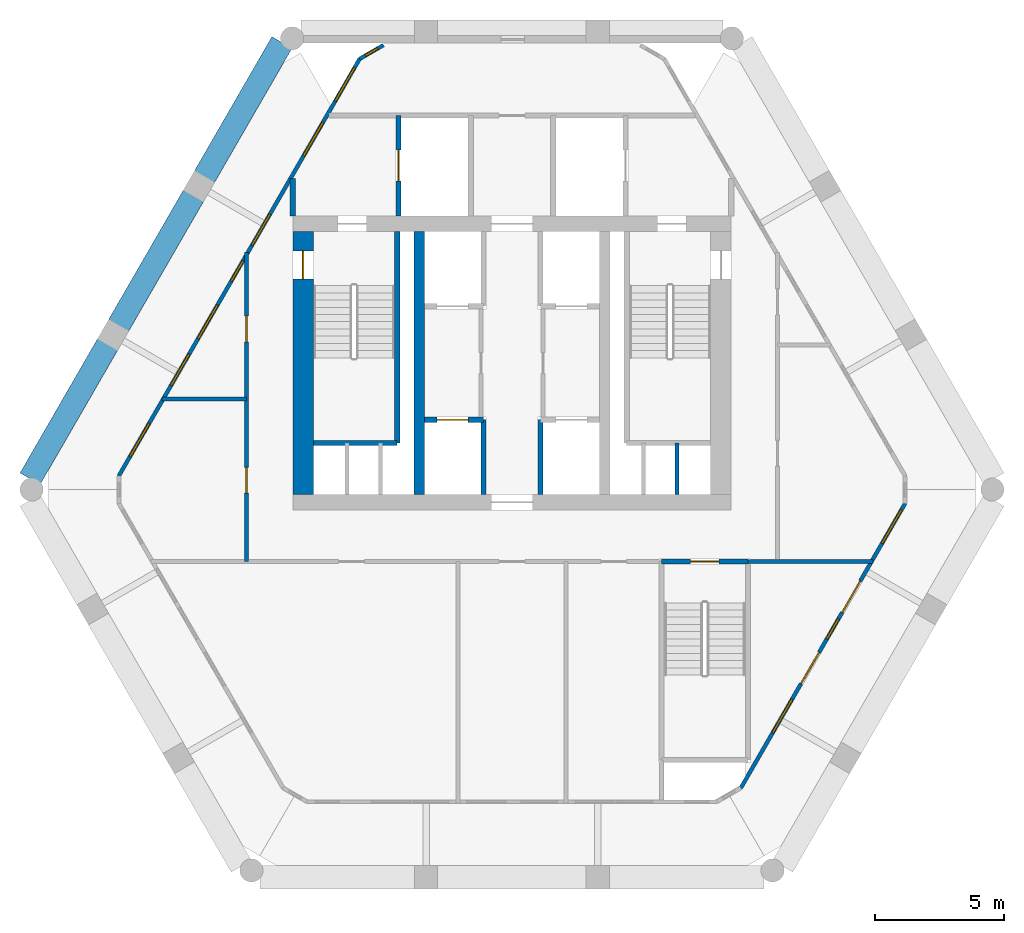
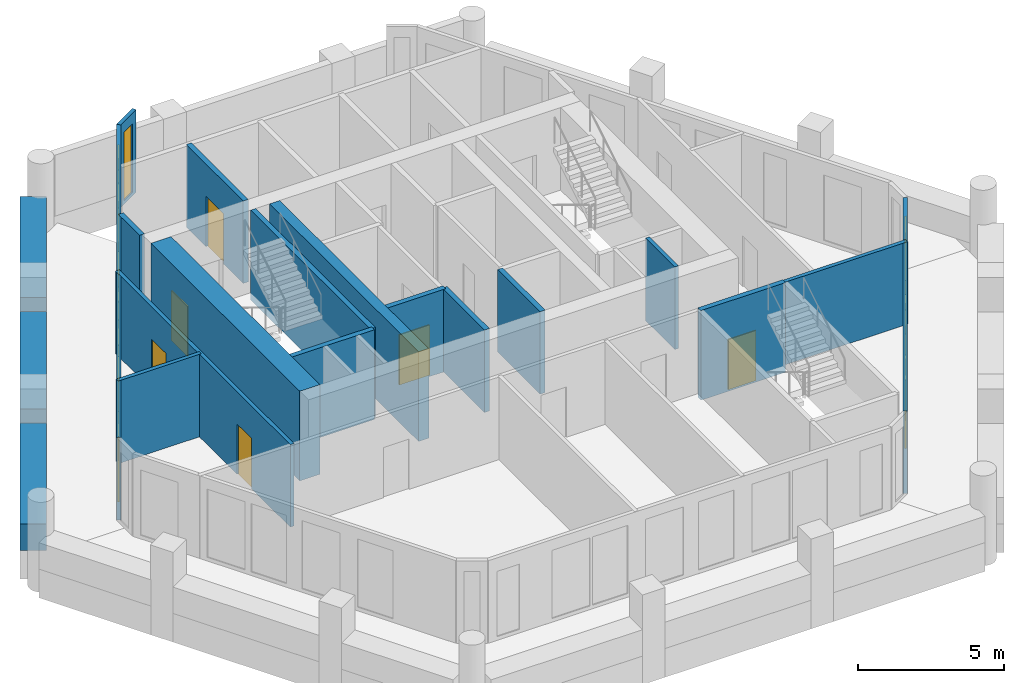
# One storey, part 3 of 6: 20 walls, 11 windows, 8 doors, 19 openings.
"""IFC4 building model written with IfcOpenShell, lengths in metres."""

from ifc_helpers import new_model, si_unit, direction, frame, frame_2d, origin, place, context, subcontext, project, spatial, rectangle, extrude, material, layer, layer_set, type_object, element, fill, save


model = new_model("IFC4")

# Units and contexts
model_context = context("Model", 3, precision=1e-05, world=origin(), true_north=direction((0.0, 1.0)))
body_context = subcontext(model_context, "Body", "Model", "MODEL_VIEW")
ifc_project = project(units=[si_unit("LENGTHUNIT", "METRE"), si_unit("AREAUNIT", "SQUARE_METRE"), si_unit("VOLUMEUNIT", "CUBIC_METRE"), si_unit("PLANEANGLEUNIT", "RADIAN"), si_unit("MASSUNIT", "GRAM", prefix="KILO")], contexts=[model_context])

# Site, building, storey
site_placement = place(None, origin())
site = spatial("IfcSite", under=ifc_project, at=site_placement, CompositionType="ELEMENT")
building_placement = place(site_placement, origin())
building = spatial("IfcBuilding", under=site, at=building_placement, Name="Ostrander Bayou Hotel Tower", CompositionType="ELEMENT")
storey_placement = place(building_placement, frame((0.0, 0.0, 260.0)))
storey = spatial("IfcBuildingStorey", under=building, at=storey_placement, Name="L64", CompositionType="ELEMENT", Elevation=260.0)

# Wall, opening, door
ifc_material_1 = material(Name="Concrete f'c 60 MPa", Category="concrete")
ifc_layer_1 = layer(ifc_material_1, 0.800048828125)
ifc_layer_set_1 = layer_set([ifc_layer_1], Name="CW11 core spine wall 800 mm f'c 60 MPa")
wall_type_1 = type_object("IfcWallType", Name="CW11 core spine wall 800 mm f'c 60 MPa", PredefinedType="SHEAR", material=ifc_layer_set_1)
wall_1_placement = place(storey_placement, frame((-8.10009765625, -1.10009765625, -0.300048828125), z_axis=(0.0, 0.0, 1.0), x_axis=(0.0, 1.0, 0.0)))
wall_1 = element("IfcWall", 1, at=wall_1_placement, inside=storey, type_object=wall_type_1, Name="CW11 L64 W", PredefinedType="SHEAR", context=body_context, shape_type="SweptSolid", body=[
    extrude(rectangle(XDim=10.2001953125, YDim=0.800048828125, at=frame_2d((5.10009765625, 0.0))), origin(), (0.0, 0.0, 1.0), 3.75),
])
opening_1_placement = place(wall_1_placement, frame((8.35009765625, 0.0, 0.0)))
opening_1 = element("IfcOpeningElement", 2, at=opening_1_placement, cuts=wall_1, Name="Opening T63-008", PredefinedType="OPENING", context=body_context, shape_type="SweptSolid", body=[
    extrude(rectangle(XDim=1.10009765625, YDim=2.10009765625, at=frame_2d((0.550048828125, 1.050048828125))), frame((0.0, 0.39990234375, 0.0), z_axis=(0.0, -1.0, 0.0), x_axis=(1.0, 0.0, 0.0)), (0.0, 0.0, 1.0), 0.800048828125),
])
ifc_material_2 = material(Name="Timber door leaf", Category="wood")
door_type_1 = type_object("IfcDoorType", Name="D5 stair door 1100 x 2100 mm, 90 minute", OperationType="SINGLE_SWING_LEFT", PredefinedType="DOOR", material=ifc_material_2)
door_1_placement = place(opening_1_placement, origin())
door_1 = element("IfcDoor", 3, at=door_1_placement, inside=storey, type_object=door_type_1, Name="dr:L64:008", OperationType="SINGLE_SWING_RIGHT", OverallHeight=2.10009765625, OverallWidth=1.10009765625, PredefinedType="DOOR", context=body_context, shape_type="SweptSolid", body=[
    extrude(rectangle(XDim=1.10009765625, YDim=2.10009765625, at=frame_2d((0.550048828125, 1.050048828125))), frame((0.0, 0.02490234375, 0.0), z_axis=(0.0, -1.0, 0.0), x_axis=(1.0, 0.0, 0.0)), (0.0, 0.0, 1.0), 0.050048828125),
])
fill(opening_1, door_1)

# Wall
ifc_material_3 = material(Name="Concrete f'c 60 MPa", Category="concrete")
ifc_layer_2 = layer(ifc_material_3, 0.39990234375)
ifc_layer_set_2 = layer_set([ifc_layer_2], Name="CW12 core bank wall 400 mm f'c 60 MPa")
wall_type_2 = type_object("IfcWallType", Name="CW12 core bank wall 400 mm f'c 60 MPa", PredefinedType="SHEAR", material=ifc_layer_set_2)
wall_2_placement = place(storey_placement, frame((-3.60009765625, -1.10009765625, -0.300048828125), z_axis=(0.0, 0.0, 1.0), x_axis=(0.0, 1.0, 0.0)))
element("IfcWall", 4, at=wall_2_placement, inside=storey, type_object=wall_type_2, Name="CW12 L64 CW", PredefinedType="SHEAR", context=body_context, shape_type="SweptSolid", body=[
    extrude(rectangle(XDim=10.2001953125, YDim=0.39990234375, at=frame_2d((5.10009765625, 0.0))), origin(), (0.0, 0.0, 1.0), 3.75),
])

# Wall, openings, windows
ifc_material_4 = material(Name="Aluminium framed insulated wall", Category="aluminium")
ifc_layer_3 = layer(ifc_material_4, 0.14990234375)
ifc_layer_set_3 = layer_set([ifc_layer_3], Name="GW1 glass-line wall 150 mm")
wall_type_3 = type_object("IfcWallType", Name="GW1 glass-line wall 150 mm", PredefinedType="SOLIDWALL", material=ifc_layer_set_3)
wall_3_placement = place(storey_placement, frame((-5.909423828125, 15.79248046875, 0.0), z_axis=(0.0, 0.0, 1.0), x_axis=(-0.500006153997, -0.866021850744, 0.0)))
wall_3 = element("IfcWall", 5, at=wall_3_placement, inside=storey, type_object=wall_type_3, Name="GW1 L64 NW 1", PredefinedType="SOLIDWALL", context=body_context, shape_type="SweptSolid", body=[
    extrude(rectangle(XDim=18.672607421875, YDim=0.14990234375, at=frame_2d((9.33642578125, 0.0))), origin(), (0.0, 0.0, 1.0), 3.449951171875),
])
opening_2_placement = place(wall_3_placement, frame((2.83837890625, 0.0, 0.14990234375)))
opening_2 = element("IfcOpeningElement", 6, at=opening_2_placement, cuts=wall_3, Name="Opening W4", PredefinedType="OPENING", context=body_context, shape_type="SweptSolid", body=[
    extrude(rectangle(XDim=1.5, YDim=2.85009765625, at=frame_2d((0.75, 1.425048828125))), frame((0.0, 0.074951171875, 0.0), z_axis=(0.0, -1.0, 0.0), x_axis=(1.0, 0.0, 0.0)), (0.0, 0.0, 1.0), 0.14990234375),
])
opening_3_placement = place(wall_3_placement, frame((9.052978515625, 0.0, 0.14990234375)))
opening_3 = element("IfcOpeningElement", 7, at=opening_3_placement, cuts=wall_3, Name="Opening W18", PredefinedType="OPENING", context=body_context, shape_type="SweptSolid", body=[
    extrude(rectangle(XDim=0.89990234375, YDim=2.85009765625, at=frame_2d((0.449951171875, 1.425048828125))), frame((0.0, 0.074951171875, 0.0), z_axis=(0.0, -1.0, 0.0), x_axis=(1.0, 0.0, 0.0)), (0.0, 0.0, 1.0), 0.14990234375),
])
opening_4_placement = place(wall_3_placement, frame((6.952880859375, 0.0, 0.14990234375)))
opening_4 = element("IfcOpeningElement", 8, at=opening_4_placement, cuts=wall_3, Name="Opening W14", PredefinedType="OPENING", context=body_context, shape_type="SweptSolid", body=[
    extrude(rectangle(XDim=1.39990234375, YDim=2.85009765625, at=frame_2d((0.699951171875, 1.425048828125))), frame((0.0, 0.074951171875, 0.0), z_axis=(0.0, -1.0, 0.0), x_axis=(1.0, 0.0, 0.0)), (0.0, 0.0, 1.0), 0.14990234375),
])
opening_5_placement = place(wall_3_placement, frame((11.02197265625, 0.0, 0.14990234375)))
opening_5 = element("IfcOpeningElement", 9, at=opening_5_placement, cuts=wall_3, Name="Opening W4", PredefinedType="OPENING", context=body_context, shape_type="SweptSolid", body=[
    extrude(rectangle(XDim=1.5, YDim=2.85009765625, at=frame_2d((0.75, 1.425048828125))), frame((0.0, 0.074951171875, 0.0), z_axis=(0.0, -1.0, 0.0), x_axis=(1.0, 0.0, 0.0)), (0.0, 0.0, 1.0), 0.14990234375),
])
opening_6_placement = place(wall_3_placement, frame((13.221923828125, 0.0, 0.14990234375)))
opening_6 = element("IfcOpeningElement", 10, at=opening_6_placement, cuts=wall_3, Name="Opening W14", PredefinedType="OPENING", context=body_context, shape_type="SweptSolid", body=[
    extrude(rectangle(XDim=1.39990234375, YDim=2.85009765625, at=frame_2d((0.699951171875, 1.425048828125))), frame((0.0, 0.074951171875, 0.0), z_axis=(0.0, -1.0, 0.0), x_axis=(1.0, 0.0, 0.0)), (0.0, 0.0, 1.0), 0.14990234375),
])
opening_7_placement = place(wall_3_placement, frame((0.394287109375, 0.0, 0.14990234375)))
opening_7 = element("IfcOpeningElement", 11, at=opening_7_placement, cuts=wall_3, Name="Opening W4", PredefinedType="OPENING", context=body_context, shape_type="SweptSolid", body=[
    extrude(rectangle(XDim=1.5, YDim=2.72998046875, at=frame_2d((0.75, 1.364990234375))), frame((0.0, 0.074951171875, 0.0), z_axis=(0.0, -1.0, 0.0), x_axis=(1.0, 0.0, 0.0)), (0.0, 0.0, 1.0), 0.14990234375),
])
opening_8_placement = place(wall_3_placement, frame((16.31591796875, 0.0, 0.14990234375)))
opening_8 = element("IfcOpeningElement", 12, at=opening_8_placement, cuts=wall_3, Name="Opening W4", PredefinedType="OPENING", context=body_context, shape_type="SweptSolid", body=[
    extrude(rectangle(XDim=1.5, YDim=2.72998046875, at=frame_2d((0.75, 1.364990234375))), frame((0.0, 0.074951171875, 0.0), z_axis=(0.0, -1.0, 0.0), x_axis=(1.0, 0.0, 0.0)), (0.0, 0.0, 1.0), 0.14990234375),
])
ifc_material_5 = material(Name="Aluminium and clear glass", Category="aluminium")
window_type_1 = type_object("IfcWindowType", Name="W14 fixed window 1400 mm, bath bay, zone 4", PartitioningType="SINGLE_PANEL", PredefinedType="WINDOW", material=ifc_material_5)
window_1_placement = place(opening_4_placement, origin())
window_1 = element("IfcWindow", 13, at=window_1_placement, inside=storey, type_object=window_type_1, Name="W14 L64 NW 2", OverallHeight=2.85009765625, OverallWidth=1.39990234375, PartitioningType="SINGLE_PANEL", PredefinedType="WINDOW", context=body_context, shape_type="SweptSolid", body=[
    extrude(rectangle(XDim=1.39990234375, YDim=2.85009765625, at=frame_2d((0.699951171875, 1.425048828125))), frame((0.0, 0.030029296875, 0.0), z_axis=(0.0, -1.0, 0.0), x_axis=(1.0, 0.0, 0.0)), (0.0, 0.0, 1.0), 0.06005859375),
])
fill(opening_4, window_1)
window_2_placement = place(opening_6_placement, origin())
window_2 = element("IfcWindow", 14, at=window_2_placement, inside=storey, type_object=window_type_1, Name="W14 L64 NW 3", OverallHeight=2.85009765625, OverallWidth=1.39990234375, PartitioningType="SINGLE_PANEL", PredefinedType="WINDOW", context=body_context, shape_type="SweptSolid", body=[
    extrude(rectangle(XDim=1.39990234375, YDim=2.85009765625, at=frame_2d((0.699951171875, 1.425048828125))), frame((0.0, 0.030029296875, 0.0), z_axis=(0.0, -1.0, 0.0), x_axis=(1.0, 0.0, 0.0)), (0.0, 0.0, 1.0), 0.06005859375),
])
fill(opening_6, window_2)
ifc_material_6 = material(Name="Aluminium and clear glass", Category="aluminium")
window_type_2 = type_object("IfcWindowType", Name="W18 window 900 mm, zone 4", PartitioningType="SINGLE_PANEL", PredefinedType="WINDOW", material=ifc_material_6)
window_3_placement = place(opening_3_placement, origin())
window_3 = element("IfcWindow", 15, at=window_3_placement, inside=storey, type_object=window_type_2, Name="W18 L64 NW 2", OverallHeight=2.85009765625, OverallWidth=0.89990234375, PartitioningType="SINGLE_PANEL", PredefinedType="WINDOW", context=body_context, shape_type="SweptSolid", body=[
    extrude(rectangle(XDim=0.89990234375, YDim=2.85009765625, at=frame_2d((0.449951171875, 1.425048828125))), frame((0.0, 0.030029296875, 0.0), z_axis=(0.0, -1.0, 0.0), x_axis=(1.0, 0.0, 0.0)), (0.0, 0.0, 1.0), 0.06005859375),
])
fill(opening_3, window_3)
ifc_material_7 = material(Name="Aluminium and clear glass", Category="aluminium")
window_type_3 = type_object("IfcWindowType", Name="W4 fixed window 1500 mm, zone 4", PartitioningType="SINGLE_PANEL", PredefinedType="WINDOW", material=ifc_material_7)
window_4_placement = place(opening_2_placement, origin())
window_4 = element("IfcWindow", 16, at=window_4_placement, inside=storey, type_object=window_type_3, Name="W4 L64 NW 1", OverallHeight=2.85009765625, OverallWidth=1.5, PartitioningType="SINGLE_PANEL", PredefinedType="WINDOW", context=body_context, shape_type="SweptSolid", body=[
    extrude(rectangle(XDim=1.5, YDim=2.85009765625, at=frame_2d((0.75, 1.425048828125))), frame((0.0, 0.030029296875, 0.0), z_axis=(0.0, -1.0, 0.0), x_axis=(1.0, 0.0, 0.0)), (0.0, 0.0, 1.0), 0.06005859375),
])
fill(opening_2, window_4)
window_5_placement = place(opening_5_placement, origin())
window_5 = element("IfcWindow", 17, at=window_5_placement, inside=storey, type_object=window_type_3, Name="W4 L64 NW 3", OverallHeight=2.85009765625, OverallWidth=1.5, PartitioningType="SINGLE_PANEL", PredefinedType="WINDOW", context=body_context, shape_type="SweptSolid", body=[
    extrude(rectangle(XDim=1.5, YDim=2.85009765625, at=frame_2d((0.75, 1.425048828125))), frame((0.0, 0.030029296875, 0.0), z_axis=(0.0, -1.0, 0.0), x_axis=(1.0, 0.0, 0.0)), (0.0, 0.0, 1.0), 0.06005859375),
])
fill(opening_5, window_5)
window_6_placement = place(opening_7_placement, origin())
window_6 = element("IfcWindow", 18, at=window_6_placement, inside=storey, type_object=window_type_3, Name="W4 L64 NW E11", OverallHeight=2.72998046875, OverallWidth=1.5, PartitioningType="SINGLE_PANEL", PredefinedType="WINDOW", context=body_context, shape_type="SweptSolid", body=[
    extrude(rectangle(XDim=1.5, YDim=2.72998046875, at=frame_2d((0.75, 1.364990234375))), frame((0.0, 0.030029296875, 0.0), z_axis=(0.0, -1.0, 0.0), x_axis=(1.0, 0.0, 0.0)), (0.0, 0.0, 1.0), 0.06005859375),
])
fill(opening_7, window_6)
window_7_placement = place(opening_8_placement, origin())
window_7 = element("IfcWindow", 19, at=window_7_placement, inside=storey, type_object=window_type_3, Name="W4 L64 NW E21", OverallHeight=2.72998046875, OverallWidth=1.5, PartitioningType="SINGLE_PANEL", PredefinedType="WINDOW", context=body_context, shape_type="SweptSolid", body=[
    extrude(rectangle(XDim=1.5, YDim=2.72998046875, at=frame_2d((0.75, 1.364990234375))), frame((0.0, 0.030029296875, 0.0), z_axis=(0.0, -1.0, 0.0), x_axis=(1.0, 0.0, 0.0)), (0.0, 0.0, 1.0), 0.06005859375),
])
fill(opening_8, window_7)

# Wall, openings, doors, windows
wall_4_placement = place(storey_placement, frame((8.873046875, -12.4814453125, 0.0), z_axis=(0.0, 0.0, 1.0), x_axis=(0.500005990458, 0.866021945164, 0.0)))
wall_4 = element("IfcWall", 20, at=wall_4_placement, inside=storey, type_object=wall_type_3, Name="GW1 L64 SE 1", PredefinedType="SOLIDWALL", context=body_context, shape_type="SweptSolid", body=[
    extrude(rectangle(XDim=12.745361328125, YDim=0.14990234375, at=frame_2d((6.37255859375, 0.0))), origin(), (0.0, 0.0, 1.0), 3.449951171875),
])
opening_9_placement = place(wall_4_placement, frame((2.472900390625, 0.0, 0.14990234375)))
opening_9 = element("IfcOpeningElement", 21, at=opening_9_placement, cuts=wall_4, Name="Opening W4", PredefinedType="OPENING", context=body_context, shape_type="SweptSolid", body=[
    extrude(rectangle(XDim=1.5, YDim=2.85009765625, at=frame_2d((0.75, 1.425048828125))), frame((0.0, 0.074951171875, 0.0), z_axis=(0.0, -1.0, 0.0), x_axis=(1.0, 0.0, 0.0)), (0.0, 0.0, 1.0), 0.14990234375),
])
opening_10_placement = place(wall_4_placement, frame((4.6728515625, 0.0, 0.0)))
opening_10 = element("IfcOpeningElement", 22, at=opening_10_placement, cuts=wall_4, Name="Opening T63-800", PredefinedType="OPENING", context=body_context, shape_type="SweptSolid", body=[
    extrude(rectangle(XDim=1.39990234375, YDim=2.39990234375, at=frame_2d((0.699951171875, 1.199951171875))), frame((0.0, 0.074951171875, 0.0), z_axis=(0.0, -1.0, 0.0), x_axis=(1.0, 0.0, 0.0)), (0.0, 0.0, 1.0), 0.14990234375),
])
opening_11_placement = place(wall_4_placement, frame((6.6728515625, 0.0, 0.14990234375)))
opening_11 = element("IfcOpeningElement", 23, at=opening_11_placement, cuts=wall_4, Name="Opening W18", PredefinedType="OPENING", context=body_context, shape_type="SweptSolid", body=[
    extrude(rectangle(XDim=0.89990234375, YDim=2.85009765625, at=frame_2d((0.449951171875, 1.425048828125))), frame((0.0, 0.074951171875, 0.0), z_axis=(0.0, -1.0, 0.0), x_axis=(1.0, 0.0, 0.0)), (0.0, 0.0, 1.0), 0.14990234375),
])
opening_12_placement = place(wall_4_placement, frame((7.865966796875, 0.0, 0.0)))
opening_12 = element("IfcOpeningElement", 24, at=opening_12_placement, cuts=wall_4, Name="Opening T63-801", PredefinedType="OPENING", context=body_context, shape_type="SweptSolid", body=[
    extrude(rectangle(XDim=1.39990234375, YDim=2.39990234375, at=frame_2d((0.699951171875, 1.199951171875))), frame((0.0, 0.074951171875, 0.0), z_axis=(0.0, -1.0, 0.0), x_axis=(1.0, 0.0, 0.0)), (0.0, 0.0, 1.0), 0.14990234375),
])
opening_13_placement = place(wall_4_placement, frame((10.959228515625, 0.0, 0.14990234375)))
opening_13 = element("IfcOpeningElement", 25, at=opening_13_placement, cuts=wall_4, Name="Opening W4", PredefinedType="OPENING", context=body_context, shape_type="SweptSolid", body=[
    extrude(rectangle(XDim=1.5, YDim=2.72998046875, at=frame_2d((0.75, 1.364990234375))), frame((0.0, 0.074951171875, 0.0), z_axis=(0.0, -1.0, 0.0), x_axis=(1.0, 0.0, 0.0)), (0.0, 0.0, 1.0), 0.14990234375),
])
ifc_material_8 = material(Name="Aluminium and clear glass", Category="aluminium")
door_type_2 = type_object("IfcDoorType", Name="SD4 sliding glass door 1400 mm, zone 4", OperationType="SLIDING_TO_LEFT", PredefinedType="DOOR", material=ifc_material_8)
door_2_placement = place(opening_10_placement, origin())
door_2 = element("IfcDoor", 26, at=door_2_placement, inside=storey, type_object=door_type_2, Name="SD4 L64 SE 1", OperationType="SLIDING_TO_LEFT", OverallHeight=2.39990234375, OverallWidth=1.39990234375, PredefinedType="DOOR", context=body_context, shape_type="SweptSolid", body=[
    extrude(rectangle(XDim=1.39990234375, YDim=2.39990234375, at=frame_2d((0.699951171875, 1.199951171875))), frame((0.0, 0.02490234375, 0.0), z_axis=(0.0, -1.0, 0.0), x_axis=(1.0, 0.0, 0.0)), (0.0, 0.0, 1.0), 0.050048828125),
])
fill(opening_10, door_2)
door_3_placement = place(opening_12_placement, origin())
door_3 = element("IfcDoor", 27, at=door_3_placement, inside=storey, type_object=door_type_2, Name="SD4 L64 SE 2", OperationType="SLIDING_TO_RIGHT", OverallHeight=2.39990234375, OverallWidth=1.39990234375, PredefinedType="DOOR", context=body_context, shape_type="SweptSolid", body=[
    extrude(rectangle(XDim=1.39990234375, YDim=2.39990234375, at=frame_2d((0.699951171875, 1.199951171875))), frame((0.0, 0.02490234375, 0.0), z_axis=(0.0, -1.0, 0.0), x_axis=(1.0, 0.0, 0.0)), (0.0, 0.0, 1.0), 0.050048828125),
])
fill(opening_12, door_3)
window_8_placement = place(opening_11_placement, origin())
window_8 = element("IfcWindow", 28, at=window_8_placement, inside=storey, type_object=window_type_2, Name="W18 L64 SE 2", OverallHeight=2.85009765625, OverallWidth=0.89990234375, PartitioningType="SINGLE_PANEL", PredefinedType="WINDOW", context=body_context, shape_type="SweptSolid", body=[
    extrude(rectangle(XDim=0.89990234375, YDim=2.85009765625, at=frame_2d((0.449951171875, 1.425048828125))), frame((0.0, 0.030029296875, 0.0), z_axis=(0.0, -1.0, 0.0), x_axis=(1.0, 0.0, 0.0)), (0.0, 0.0, 1.0), 0.06005859375),
])
fill(opening_11, window_8)
window_9_placement = place(opening_9_placement, origin())
window_9 = element("IfcWindow", 29, at=window_9_placement, inside=storey, type_object=window_type_3, Name="W4 L64 SE 1", OverallHeight=2.85009765625, OverallWidth=1.5, PartitioningType="SINGLE_PANEL", PredefinedType="WINDOW", context=body_context, shape_type="SweptSolid", body=[
    extrude(rectangle(XDim=1.5, YDim=2.85009765625, at=frame_2d((0.75, 1.425048828125))), frame((0.0, 0.030029296875, 0.0), z_axis=(0.0, -1.0, 0.0), x_axis=(1.0, 0.0, 0.0)), (0.0, 0.0, 1.0), 0.06005859375),
])
fill(opening_9, window_9)
window_10_placement = place(opening_13_placement, origin())
window_10 = element("IfcWindow", 30, at=window_10_placement, inside=storey, type_object=window_type_3, Name="W4 L64 SE E21", OverallHeight=2.72998046875, OverallWidth=1.5, PartitioningType="SINGLE_PANEL", PredefinedType="WINDOW", context=body_context, shape_type="SweptSolid", body=[
    extrude(rectangle(XDim=1.5, YDim=2.72998046875, at=frame_2d((0.75, 1.364990234375))), frame((0.0, 0.030029296875, 0.0), z_axis=(0.0, -1.0, 0.0), x_axis=(1.0, 0.0, 0.0)), (0.0, 0.0, 1.0), 0.06005859375),
])
fill(opening_13, window_10)

# Wall, opening, window
wall_5_placement = place(storey_placement, frame((-4.9873046875, 16.324951171875, 0.0), z_axis=(0.0, 0.0, 1.0), x_axis=(-0.865990848561, -0.500059846627, 0.0)))
wall_5 = element("IfcWall", 31, at=wall_5_placement, inside=storey, type_object=wall_type_3, Name="GW1 L64 corner 1", PredefinedType="SOLIDWALL", context=body_context, shape_type="SweptSolid", body=[
    extrude(rectangle(XDim=1.064697265625, YDim=0.14990234375, at=frame_2d((0.5322265625, 0.0))), origin(), (0.0, 0.0, 1.0), 3.449951171875),
])
opening_14_placement = place(wall_5_placement, frame((0.257568359375, 0.0, 0.14990234375)))
opening_14 = element("IfcOpeningElement", 32, at=opening_14_placement, cuts=wall_5, Name="Opening W19", PredefinedType="OPENING", context=body_context, shape_type="SweptSolid", body=[
    extrude(rectangle(XDim=0.550048828125, YDim=2.85009765625, at=frame_2d((0.27490234375, 1.425048828125))), frame((0.0, 0.074951171875, 0.0), z_axis=(0.0, -1.0, 0.0), x_axis=(1.0, 0.0, 0.0)), (0.0, 0.0, 1.0), 0.14990234375),
])
ifc_material_9 = material(Name="Aluminium and clear glass", Category="aluminium")
window_type_4 = type_object("IfcWindowType", Name="W19 corner window 550 mm", PartitioningType="SINGLE_PANEL", PredefinedType="WINDOW", material=ifc_material_9)
window_11_placement = place(opening_14_placement, origin())
window_11 = element("IfcWindow", 33, at=window_11_placement, inside=storey, type_object=window_type_4, Name="W19 L64 corner 1", OverallHeight=2.85009765625, OverallWidth=0.550048828125, PartitioningType="SINGLE_PANEL", PredefinedType="WINDOW", context=body_context, shape_type="SweptSolid", body=[
    extrude(rectangle(XDim=0.550048828125, YDim=2.85009765625, at=frame_2d((0.27490234375, 1.425048828125))), frame((0.0, 0.030029296875, 0.0), z_axis=(0.0, -1.0, 0.0), x_axis=(1.0, 0.0, 0.0)), (0.0, 0.0, 1.0), 0.06005859375),
])
fill(opening_14, window_11)

# Walls
ifc_material_10 = material(Name="Concrete f'c 40 MPa", Category="concrete")
ifc_layer_4 = layer(ifc_material_10, 0.89990234375)
ifc_layer_set_4 = layer_set([ifc_layer_4], Name="PA1 stone-faced parapet 900 mm")
wall_type_4 = type_object("IfcWallType", Name="PA1 stone-faced parapet 900 mm", PredefinedType="PARAPET", material=ifc_layer_set_4)
wall_6_placement = place(storey_placement, frame((-8.919921875, 16.427978515625, 0.0), z_axis=(0.0, 0.0, 1.0), x_axis=(-0.500026811154, -0.866009923804, 0.0)))
element("IfcWall", 34, at=wall_6_placement, inside=storey, type_object=wall_type_4, Name="PA1 L64 NW-1", PredefinedType="PARAPET", context=body_context, shape_type="SweptSolid", body=[
    extrude(rectangle(XDim=6.017822265625, YDim=0.89990234375, at=frame_2d((3.0087890625, 0.0))), origin(), (0.0, 0.0, 1.0), 1.10009765625),
])
wall_7_placement = place(storey_placement, frame((-12.348876953125, 10.489013671875, 0.0), z_axis=(0.0, 0.0, 1.0), x_axis=(-0.500015433515, -0.866016493057, 0.0)))
element("IfcWall", 35, at=wall_7_placement, inside=storey, type_object=wall_type_4, Name="PA1 L64 NW-2", PredefinedType="PARAPET", context=body_context, shape_type="SweptSolid", body=[
    extrude(rectangle(XDim=5.818603515625, YDim=0.89990234375, at=frame_2d((2.9091796875, 0.0))), origin(), (0.0, 0.0, 1.0), 1.10009765625),
])
wall_8_placement = place(storey_placement, frame((-15.67822265625, 4.722412109375, 0.0), z_axis=(0.0, 0.0, 1.0), x_axis=(-0.499996383721, -0.866027491634, 0.0)))
element("IfcWall", 36, at=wall_8_placement, inside=storey, type_object=wall_type_4, Name="PA1 L64 NW-3", PredefinedType="PARAPET", context=body_context, shape_type="SweptSolid", body=[
    extrude(rectangle(XDim=6.017578125, YDim=0.89990234375, at=frame_2d((3.0087890625, 0.0))), origin(), (0.0, 0.0, 1.0), 1.10009765625),
])
ifc_material_11 = material(Name="Masonry block", Category="masonry")
ifc_layer_5 = layer(ifc_material_11, 0.199951171875)
ifc_layer_set_5 = layer_set([ifc_layer_5], Name="PT5 stair enclosure wall 200 mm masonry, 2 hour")
wall_type_5 = type_object("IfcWallType", Name="PT5 stair enclosure wall 200 mm masonry, 2 hour", PredefinedType="PARTITIONING", material=ifc_layer_set_5)
wall_9_placement = place(storey_placement, frame((-8.5, 9.699951171875, 0.0), z_axis=(0.0, 0.0, 1.0), x_axis=(0.0, 1.0, 0.0)))
element("IfcWall", 37, at=wall_9_placement, inside=storey, type_object=wall_type_5, Name="cs:L64:023", PredefinedType="PARTITIONING", context=body_context, shape_type="SweptSolid", body=[
    extrude(rectangle(XDim=1.45556640625, YDim=0.199951171875, at=frame_2d((0.727783203125, 0.0))), origin(), (0.0, 0.0, 1.0), 3.449951171875),
])

# Wall, opening, door
wall_10_placement = place(storey_placement, frame((-4.39990234375, 9.699951171875, 0.0), z_axis=(0.0, 0.0, 1.0), x_axis=(0.0, 1.0, 0.0)))
wall_10 = element("IfcWall", 38, at=wall_10_placement, inside=storey, type_object=wall_type_5, Name="cs:L64:025", PredefinedType="PARTITIONING", context=body_context, shape_type="SweptSolid", body=[
    extrude(rectangle(XDim=3.900146484375, YDim=0.199951171875, at=frame_2d((1.9501953125, 0.0))), origin(), (0.0, 0.0, 1.0), 3.449951171875),
])
opening_15_placement = place(wall_10_placement, frame((1.35009765625, 0.0, 0.0)))
opening_15 = element("IfcOpeningElement", 39, at=opening_15_placement, cuts=wall_10, Name="Opening T63-012", PredefinedType="OPENING", context=body_context, shape_type="SweptSolid", body=[
    extrude(rectangle(XDim=1.199951171875, YDim=2.10009765625, at=frame_2d((0.60009765625, 1.050048828125))), frame((0.0, 0.10009765625, 0.0), z_axis=(0.0, -1.0, 0.0), x_axis=(1.0, 0.0, 0.0)), (0.0, 0.0, 1.0), 0.199951171875),
])
ifc_material_12 = material(Name="Stainless steel sliding door", Category="steel")
door_type_3 = type_object("IfcDoorType", Name="LD1 lift landing door 1200 x 2100 mm", OperationType="SINGLE_SWING_LEFT", PredefinedType="DOOR", material=ifc_material_12)
door_4_placement = place(opening_15_placement, origin())
door_4 = element("IfcDoor", 40, at=door_4_placement, inside=storey, type_object=door_type_3, Name="dr:L64:012", OperationType="SLIDING_TO_LEFT", OverallHeight=2.10009765625, OverallWidth=1.199951171875, PredefinedType="DOOR", context=body_context, shape_type="SweptSolid", body=[
    extrude(rectangle(XDim=1.199951171875, YDim=2.10009765625, at=frame_2d((0.60009765625, 1.050048828125))), frame((0.0, 0.02490234375, 0.0), z_axis=(0.0, -1.0, 0.0), x_axis=(1.0, 0.0, 0.0)), (0.0, 0.0, 1.0), 0.050048828125),
])
fill(opening_15, door_4)

ifc_material_13 = material(Name="Masonry block", Category="masonry")
ifc_layer_6 = layer(ifc_material_13, 0.199951171875)
ifc_layer_set_6 = layer_set([ifc_layer_6], Name="PT6 lift shaft wall 200 mm masonry, 2 hour")
wall_type_6 = type_object("IfcWallType", Name="PT6 lift shaft wall 200 mm masonry, 2 hour", PredefinedType="PARTITIONING", material=ifc_layer_set_6)
wall_11_placement = place(storey_placement, frame((-3.39990234375, 1.800048828125, 0.0), z_axis=(0.0, 0.0, 1.0), x_axis=(1.0, 0.0, 0.0)))
wall_11 = element("IfcWall", 41, at=wall_11_placement, inside=storey, type_object=wall_type_6, Name="cs:L64:001", PredefinedType="PARTITIONING", context=body_context, shape_type="SweptSolid", body=[
    extrude(rectangle(XDim=2.2998046875, YDim=0.199951171875, at=frame_2d((1.14990234375, 0.0))), origin(), (0.0, 0.0, 1.0), 3.449951171875),
])
opening_16_placement = place(wall_11_placement, frame((0.5, 0.0, 0.0)))
opening_16 = element("IfcOpeningElement", 42, at=opening_16_placement, cuts=wall_11, Name="Opening T63-001", PredefinedType="OPENING", context=body_context, shape_type="SweptSolid", body=[
    extrude(rectangle(XDim=1.199951171875, YDim=2.10009765625, at=frame_2d((0.60009765625, 1.050048828125))), frame((0.0, 0.10009765625, 0.0), z_axis=(0.0, -1.0, 0.0), x_axis=(1.0, 0.0, 0.0)), (0.0, 0.0, 1.0), 0.199951171875),
])
door_5_placement = place(opening_16_placement, origin())
door_5 = element("IfcDoor", 43, at=door_5_placement, inside=storey, type_object=door_type_3, Name="dr:L64:001", OperationType="SLIDING_TO_LEFT", OverallHeight=2.10009765625, OverallWidth=1.199951171875, PredefinedType="DOOR", context=body_context, shape_type="SweptSolid", body=[
    extrude(rectangle(XDim=1.199951171875, YDim=2.10009765625, at=frame_2d((0.60009765625, 1.050048828125))), frame((0.0, 0.02490234375, 0.0), z_axis=(0.0, -1.0, 0.0), x_axis=(1.0, 0.0, 0.0)), (0.0, 0.0, 1.0), 0.050048828125),
])
fill(opening_16, door_5)

# Walls
for number, where, z_axis, x_axis, name in (
    (44, (-1.10009765625, -1.10009765625, 0.0), (0.0, 0.0, 1.0), (0.0, 1.0, 0.0), "cs:L64:005"),
    (45, (1.10009765625, -1.10009765625, 0.0), (0.0, 0.0, 1.0), (0.0, 1.0, 0.0), "cs:L64:006"),
):
    element("IfcWall", number, at=place(storey_placement, frame(where, z_axis=z_axis, x_axis=x_axis)), inside=storey, type_object=wall_type_6, Name=name, PredefinedType="PARTITIONING", context=body_context, shape_type="SweptSolid", body=[
        extrude(rectangle(XDim=2.900146484375, YDim=0.199951171875, at=frame_2d((1.4501953125, 0.0))), origin(), (0.0, 0.0, 1.0), 3.449951171875),
    ])
ifc_material_14 = material(Name="Gypsum board partition", Category="finish")
ifc_layer_7 = layer(ifc_material_14, 0.14990234375)
ifc_layer_set_7 = layer_set([ifc_layer_7], Name="PT7 riser wall 150 mm, 2 hour")
wall_type_7 = type_object("IfcWallType", Name="PT7 riser wall 150 mm, 2 hour", PredefinedType="PARTITIONING", material=ifc_layer_set_7)
wall_12_placement = place(storey_placement, frame((6.39990234375, -1.10009765625, 0.0), z_axis=(0.0, 0.0, 1.0), x_axis=(0.0, 1.0, 0.0)))
element("IfcWall", 46, at=wall_12_placement, inside=storey, type_object=wall_type_7, Name="cs:L64:016", PredefinedType="PARTITIONING", context=body_context, shape_type="SweptSolid", body=[
    extrude(rectangle(XDim=2.0, YDim=0.14990234375, at=frame_2d((1.0, 0.0))), origin(), (0.0, 0.0, 1.0), 3.449951171875),
])
ifc_material_15 = material(Name="Gypsum board partition", Category="finish")
ifc_layer_8 = layer(ifc_material_15, 0.14990234375)
ifc_layer_set_8 = layer_set([ifc_layer_8], Name="PT8 service band wall 150 mm, 1 hour")
wall_type_8 = type_object("IfcWallType", Name="PT8 service band wall 150 mm, 1 hour", PredefinedType="PARTITIONING", material=ifc_layer_set_8)
wall_13_placement = place(storey_placement, frame((9.159912109375, -3.699951171875, 0.0), z_axis=(0.0, 0.0, 1.0), x_axis=(1.0, 0.0, 0.0)))
element("IfcWall", 47, at=wall_13_placement, inside=storey, type_object=wall_type_8, Name="gw:L64:002", PredefinedType="PARTITIONING", context=body_context, shape_type="SweptSolid", body=[
    extrude(rectangle(XDim=4.835205078125, YDim=0.14990234375, at=frame_2d((2.41748046875, 0.0))), origin(), (0.0, 0.0, 1.0), 3.449951171875),
])
wall_14_placement = place(storey_placement, frame((-13.577880859375, 2.60009765625, 0.0), z_axis=(0.0, 0.0, 1.0), x_axis=(1.0, 0.0, 0.0)))
element("IfcWall", 48, at=wall_14_placement, inside=storey, type_object=wall_type_8, Name="gw:L64:003", PredefinedType="PARTITIONING", context=body_context, shape_type="SweptSolid", body=[
    extrude(rectangle(XDim=3.27783203125, YDim=0.14990234375, at=frame_2d((1.638916015625, 0.0))), origin(), (0.0, 0.0, 1.0), 3.449951171875),
])

# Wall, openings, doors
wall_15_placement = place(storey_placement, frame((-10.300048828125, -3.699951171875, 0.0), z_axis=(0.0, 0.0, 1.0), x_axis=(0.0, 1.0, 0.0)))
wall_15 = element("IfcWall", 49, at=wall_15_placement, inside=storey, type_object=wall_type_8, Name="gw:L64:009", PredefinedType="PARTITIONING", context=body_context, shape_type="SweptSolid", body=[
    extrude(rectangle(XDim=11.97802734375, YDim=0.14990234375, at=frame_2d((5.989013671875, 0.0))), origin(), (0.0, 0.0, 1.0), 3.449951171875),
])
opening_17_placement = place(wall_15_placement, frame((2.64990234375, 0.0, 0.0)))
opening_17 = element("IfcOpeningElement", 50, at=opening_17_placement, cuts=wall_15, Name="Opening T63-403", PredefinedType="OPENING", context=body_context, shape_type="SweptSolid", body=[
    extrude(rectangle(XDim=1.0, YDim=2.10009765625, at=frame_2d((0.5, 1.050048828125))), frame((0.0, 0.074951171875, 0.0), z_axis=(0.0, -1.0, 0.0), x_axis=(1.0, 0.0, 0.0)), (0.0, 0.0, 1.0), 0.14990234375),
])
opening_18_placement = place(wall_15_placement, frame((8.52001953125, 0.0, 0.0)))
opening_18 = element("IfcOpeningElement", 51, at=opening_18_placement, cuts=wall_15, Name="Opening T63-404", PredefinedType="OPENING", context=body_context, shape_type="SweptSolid", body=[
    extrude(rectangle(XDim=1.0, YDim=2.10009765625, at=frame_2d((0.5, 1.050048828125))), frame((0.0, 0.074951171875, 0.0), z_axis=(0.0, -1.0, 0.0), x_axis=(1.0, 0.0, 0.0)), (0.0, 0.0, 1.0), 0.14990234375),
])
ifc_material_16 = material(Name="Timber door leaf", Category="wood")
door_type_4 = type_object("IfcDoorType", Name="D15 room door 1000 x 2100 mm", OperationType="SINGLE_SWING_LEFT", PredefinedType="DOOR", material=ifc_material_16)
door_6_placement = place(opening_17_placement, origin())
door_6 = element("IfcDoor", 52, at=door_6_placement, inside=storey, type_object=door_type_4, Name="dr:L64:403", OperationType="SINGLE_SWING_RIGHT", OverallHeight=2.10009765625, OverallWidth=1.0, PredefinedType="DOOR", context=body_context, shape_type="SweptSolid", body=[
    extrude(rectangle(XDim=1.0, YDim=2.10009765625, at=frame_2d((0.5, 1.050048828125))), frame((0.0, 0.02490234375, 0.0), z_axis=(0.0, -1.0, 0.0), x_axis=(1.0, 0.0, 0.0)), (0.0, 0.0, 1.0), 0.050048828125),
])
fill(opening_17, door_6)
ifc_material_17 = material(Name="Timber door leaf", Category="wood")
door_type_5 = type_object("IfcDoorType", Name="D9 service door 1000 x 2100 mm, 30 minute", OperationType="SINGLE_SWING_LEFT", PredefinedType="DOOR", material=ifc_material_17)
door_7_placement = place(opening_18_placement, origin())
door_7 = element("IfcDoor", 53, at=door_7_placement, inside=storey, type_object=door_type_5, Name="dr:L64:404", OperationType="SINGLE_SWING_LEFT", OverallHeight=2.10009765625, OverallWidth=1.0, PredefinedType="DOOR", context=body_context, shape_type="SweptSolid", body=[
    extrude(rectangle(XDim=1.0, YDim=2.10009765625, at=frame_2d((0.5, 1.050048828125))), frame((0.0, 0.02490234375, 0.0), z_axis=(0.0, -1.0, 0.0), x_axis=(1.0, 0.0, 0.0)), (0.0, 0.0, 1.0), 0.050048828125),
])
fill(opening_18, door_7)

# Walls
ifc_material_18 = material(Name="Concrete f'c 45 MPa", Category="concrete")
ifc_layer_9 = layer(ifc_material_18, 0.199951171875)
ifc_layer_set_9 = layer_set([ifc_layer_9], Name="SW5 stair enclosure wall 200 mm f'c 45 MPa")
wall_type_9 = type_object("IfcWallType", Name="SW5 stair enclosure wall 200 mm f'c 45 MPa", PredefinedType="SOLIDWALL", material=ifc_layer_set_9)
wall_16_placement = place(storey_placement, frame((-4.449951171875, 0.89990234375, -0.300048828125), z_axis=(0.0, 0.0, 1.0), x_axis=(0.0, 1.0, 0.0)))
element("IfcWall", 54, at=wall_16_placement, inside=storey, type_object=wall_type_9, Name="cs:L64:009", PredefinedType="SOLIDWALL", context=body_context, shape_type="SweptSolid", body=[
    extrude(rectangle(XDim=8.2001953125, YDim=0.199951171875, at=frame_2d((4.10009765625, 0.0))), origin(), (0.0, 0.0, 1.0), 3.75),
])
wall_17_placement = place(storey_placement, frame((-7.699951171875, 0.89990234375, -0.300048828125), z_axis=(0.0, 0.0, 1.0), x_axis=(1.0, 0.0, 0.0)))
element("IfcWall", 55, at=wall_17_placement, inside=storey, type_object=wall_type_9, Name="cs:L64:010", PredefinedType="SOLIDWALL", context=body_context, shape_type="SweptSolid", body=[
    extrude(rectangle(XDim=3.25, YDim=0.199951171875, at=frame_2d((1.625, 0.0))), origin(), (0.0, 0.0, 1.0), 3.75),
])

# Wall, opening, door
wall_18_placement = place(storey_placement, frame((5.800048828125, -3.699951171875, -0.300048828125), z_axis=(0.0, 0.0, 1.0), x_axis=(1.0, 0.0, 0.0)))
wall_18 = element("IfcWall", 56, at=wall_18_placement, inside=storey, type_object=wall_type_9, Name="cs:L64:017", PredefinedType="SOLIDWALL", context=body_context, shape_type="SweptSolid", body=[
    extrude(rectangle(XDim=3.349853515625, YDim=0.199951171875, at=frame_2d((1.6748046875, 0.0))), origin(), (0.0, 0.0, 1.0), 3.75),
])
opening_19_placement = place(wall_18_placement, frame((1.125, 0.0, 0.0)))
opening_19 = element("IfcOpeningElement", 57, at=opening_19_placement, cuts=wall_18, Name="Opening T63-011", PredefinedType="OPENING", context=body_context, shape_type="SweptSolid", body=[
    extrude(rectangle(XDim=1.10009765625, YDim=2.10009765625, at=frame_2d((0.550048828125, 1.050048828125))), frame((0.0, 0.10009765625, 0.0), z_axis=(0.0, -1.0, 0.0), x_axis=(1.0, 0.0, 0.0)), (0.0, 0.0, 1.0), 0.199951171875),
])
door_8_placement = place(opening_19_placement, origin())
door_8 = element("IfcDoor", 58, at=door_8_placement, inside=storey, type_object=door_type_1, Name="dr:L64:011", OperationType="SINGLE_SWING_LEFT", OverallHeight=2.10009765625, OverallWidth=1.10009765625, PredefinedType="DOOR", context=body_context, shape_type="SweptSolid", body=[
    extrude(rectangle(XDim=1.10009765625, YDim=2.10009765625, at=frame_2d((0.550048828125, 1.050048828125))), frame((0.0, 0.02490234375, 0.0), z_axis=(0.0, -1.0, 0.0), x_axis=(1.0, 0.0, 0.0)), (0.0, 0.0, 1.0), 0.050048828125),
])
fill(opening_19, door_8)

save(model, "model.ifc")
